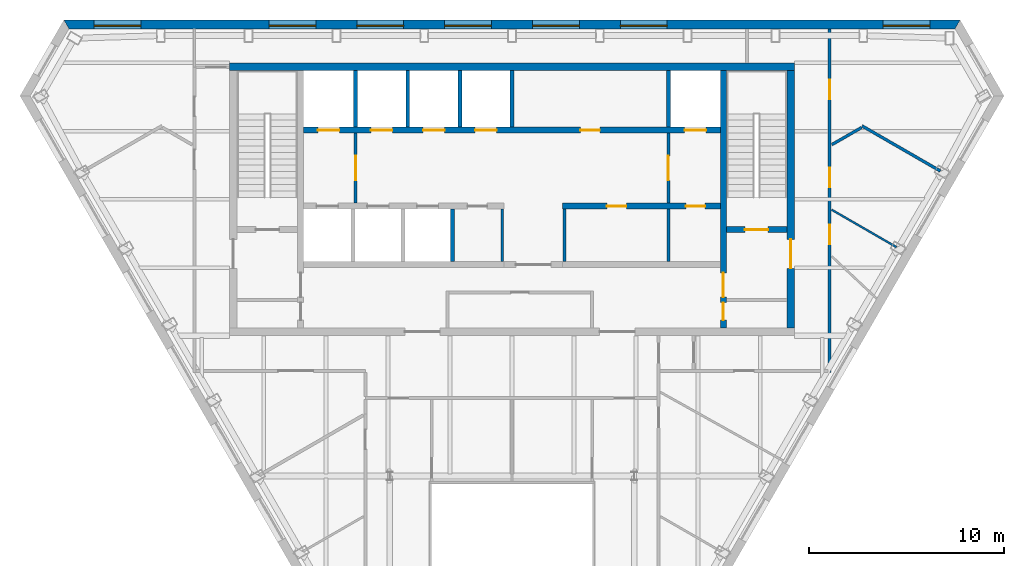
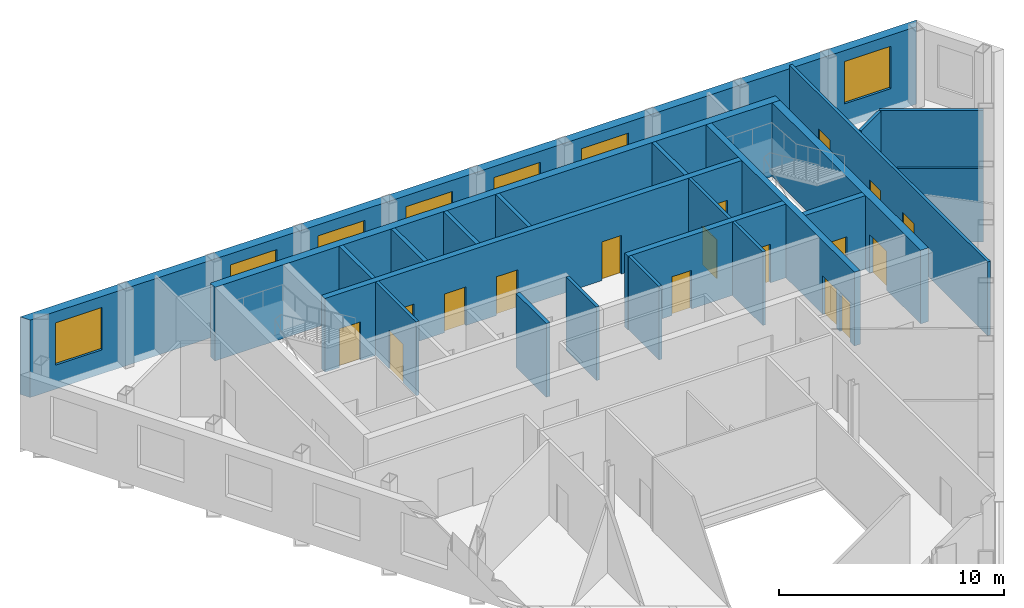
# One storey, part 7 of 11: 22 walls, 17 doors, 7 windows, 24 openings.
"""IFC4 building model written with IfcOpenShell, lengths in metres."""

import ifcopenshell
import ifcopenshell.guid

model = None  # the IFC model being written
_history = None  # IfcOwnerHistory: only IFC2X3 demands one
_inside = {}  # id of a spatial element -> (the spatial element, [elements in it])
_under = {}  # id of a project, library or spatial element -> (it, [spatial elements below it])
_declared = {}  # id of a project -> (the project, [libraries it declares])
_typed = {}  # id of a type object -> (the type object, [elements of that type])
_made_of = {}  # id of a material, layer set ... -> (it, [elements and type objects made of it])


def new_model(schema):
    """Start an empty IFC model of exactly this schema.

    Asked for "IFC4X3", IfcOpenShell would pick the latest addendum, in which some entities
    have other attributes; the version numbers below select the first issue.
    IFC2X3 requires an IfcOwnerHistory on every rooted entity: one is made here for all.
    """
    global model, _history
    if schema == "IFC4X3":
        model = ifcopenshell.file(schema_version=(4, 3, 0, 0))
    else:
        model = ifcopenshell.file(schema=schema)
    _inside.clear()
    _under.clear()
    _declared.clear()
    _typed.clear()
    _made_of.clear()
    _history = None
    if model.schema == "IFC2X3":
        org = make("IfcOrganization", Name="unknown")
        user = make(
            "IfcPersonAndOrganization",
            ThePerson=make("IfcPerson", FamilyName="unknown"),
            TheOrganization=org,
        )
        app = make(
            "IfcApplication",
            ApplicationDeveloper=org,
            Version="unknown",
            ApplicationFullName="unknown",
            ApplicationIdentifier="unknown",
        )
        _history = make(
            "IfcOwnerHistory",
            OwningUser=user,
            OwningApplication=app,
            ChangeAction="ADDED",
            CreationDate=0,
        )
    return model


def make(cls, **values):
    """One entity of the class cls with the attributes given. An attribute that is None is left unset."""
    return model.create_entity(
        cls, **{name: value for name, value in values.items() if value is not None}
    )


def rooted(cls, **values):
    """An entity with a GlobalId (a new one), such as an element, a storey or a relation."""
    return make(cls, GlobalId=ifcopenshell.guid.new(), OwnerHistory=_history, **values)


def si_unit(unit_type, name, prefix=None):
    """IfcSIUnit, for example si_unit("LENGTHUNIT", "METRE", prefix="MILLI")."""
    return make("IfcSIUnit", UnitType=unit_type, Prefix=prefix, Name=name)


def assignment(units):
    """IfcUnitAssignment: the units of a project."""
    return None if units is None else make("IfcUnitAssignment", Units=units)


def point(xyz):
    """IfcCartesianPoint."""
    return None if xyz is None else make("IfcCartesianPoint", Coordinates=xyz)


def direction(xyz):
    """IfcDirection."""
    return None if xyz is None else make("IfcDirection", DirectionRatios=xyz)


def frame(location, z_axis=None, x_axis=None):
    """IfcAxis2Placement3D, a coordinate frame: its origin and axes. An axis left out is left unset."""
    return make(
        "IfcAxis2Placement3D",
        Location=point(location),
        Axis=direction(z_axis),
        RefDirection=direction(x_axis),
    )


def frame_2d(location, x_axis=None):
    """IfcAxis2Placement2D, a coordinate frame in the plane: its origin and x axis."""
    return make(
        "IfcAxis2Placement2D", Location=point(location), RefDirection=direction(x_axis)
    )


def origin():
    """The frame at (0, 0, 0) with its axes left unset."""
    return frame((0.0, 0.0, 0.0))


def place(relative_to, where):
    """IfcLocalPlacement: puts the frame where relative to a parent placement (None: the world)."""
    return make(
        "IfcLocalPlacement", PlacementRelTo=relative_to, RelativePlacement=where
    )


def context(
    kind, dimensions, precision=None, world=None, true_north=None, identifier=None
):
    """IfcGeometricRepresentationContext, for example the 3D "Model" context."""
    return make(
        "IfcGeometricRepresentationContext",
        ContextIdentifier=identifier,
        ContextType=kind,
        CoordinateSpaceDimension=dimensions,
        Precision=precision,
        WorldCoordinateSystem=world,
        TrueNorth=true_north,
    )


def subcontext(parent, identifier, kind, view, scale=None):
    """IfcGeometricRepresentationSubContext, for example "Body" below "Model"."""
    return make(
        "IfcGeometricRepresentationSubContext",
        ContextIdentifier=identifier,
        ContextType=kind,
        ParentContext=parent,
        TargetScale=scale,
        TargetView=view,
    )


def project(units=None, contexts=None):
    """IfcProject with its units and contexts."""
    return rooted(
        "IfcProject",
        Name="project",
        RepresentationContexts=contexts,
        UnitsInContext=assignment(units),
    )


def spatial(cls, under=None, at=None, **own):
    """A site, building, storey or space (cls), placed at a placement, below another one or the project."""
    s = rooted(cls, ObjectPlacement=at, **own)
    if under is not None:
        _under.setdefault(under.id(), (under, []))[1].append(s)
    return s


def polyline(points):
    """IfcPolyline through the points."""
    return make("IfcPolyline", Points=[point(p) for p in points])


def profile(cls, at=None, kind="AREA", **sizes):
    """A parametric profile (cls). Its sizes go by their IFC names, for example OverallWidth=200.0."""
    return make(cls, ProfileType=kind, Position=at, **sizes)


def rectangle(**sizes):
    """IfcRectangleProfileDef."""
    return profile("IfcRectangleProfileDef", **sizes)


def outline(outer, holes=None, kind="AREA"):
    """IfcArbitraryClosedProfileDef: a profile drawn as a closed curve; with holes, ...WithVoids."""
    if holes is None:
        return make("IfcArbitraryClosedProfileDef", ProfileType=kind, OuterCurve=outer)
    return make(
        "IfcArbitraryProfileDefWithVoids",
        ProfileType=kind,
        OuterCurve=outer,
        InnerCurves=holes,
    )


def extrude(swept, where, along, depth):
    """IfcExtrudedAreaSolid: the profile swept, set in the frame where, extruded along a direction by depth."""
    return make(
        "IfcExtrudedAreaSolid",
        SweptArea=swept,
        Position=where,
        ExtrudedDirection=direction(along),
        Depth=depth,
    )


def shape(context_of_items, identifier, shape_type, items):
    """IfcShapeRepresentation: the items that make up one representation, for example the "Body"."""
    return make(
        "IfcShapeRepresentation",
        ContextOfItems=context_of_items,
        RepresentationIdentifier=identifier,
        RepresentationType=shape_type,
        Items=items,
    )


def material(Name=None, Category=None):
    """IfcMaterial."""
    return make("IfcMaterial", Name=Name, Category=Category)


def layer(
    of_material, thickness, ventilated=None, Name=None, Category=None, Priority=None
):
    """IfcMaterialLayer: one layer of a wall or slab, of a material (None: an air gap)."""
    return make(
        "IfcMaterialLayer",
        Material=of_material,
        LayerThickness=thickness,
        IsVentilated=ventilated,
        Name=Name,
        Category=Category,
        Priority=Priority,
    )


def layer_set(layers, Name=None):
    """IfcMaterialLayerSet."""
    return make("IfcMaterialLayerSet", MaterialLayers=layers, LayerSetName=Name)


def made_of(thing, what):
    """Note that an element or type object is made of a material, layer set ...; save() writes the relation."""
    if what is not None:
        _made_of.setdefault(what.id(), (what, []))[1].append(thing)
    return thing


def type_object(cls, material=None, **own):
    """A type object (cls), such as IfcWallType, which elements share."""
    return made_of(rooted(cls, **own), material)


def element(
    cls,
    number,
    at=None,
    inside=None,
    cuts=None,
    type_object=None,
    material=None,
    context=None,
    identifier="Body",
    shape_type=None,
    held_by="IfcProductDefinitionShape",
    body=None,
    shapes=None,
    **own,
):
    """One element of the class cls, such as IfcWall. Its Tag is "e" and its number.

    at: its placement. inside: the storey or other place that contains it. cuts: it is an
    opening in that element (IfcRelVoidsElement). A single representation is given by context,
    identifier, shape_type and body (its items); several are given by shapes. held_by: the class
    of the entity that holds the representations. save() writes the other relations.
    """
    e = rooted(cls, Tag="e%d" % number, ObjectPlacement=at, **own)
    if body is not None:
        shapes = [shape(context, identifier, shape_type, body)]
    if shapes is not None:
        e.Representation = make(held_by, Representations=shapes)
    if inside is not None:
        _inside.setdefault(inside.id(), (inside, []))[1].append(e)
    if cuts is not None:
        rooted(
            "IfcRelVoidsElement", RelatingBuildingElement=cuts, RelatedOpeningElement=e
        )
    if type_object is not None:
        _typed.setdefault(type_object.id(), (type_object, []))[1].append(e)
    return made_of(e, material)


def fill(opening, filler):
    """IfcRelFillsElement: the door or window that sits in an opening."""
    return rooted(
        "IfcRelFillsElement",
        RelatingOpeningElement=opening,
        RelatedBuildingElement=filler,
    )


def aggregate(whole, parts):
    """IfcRelAggregates: a whole, such as a stair, and the parts it consists of."""
    return rooted("IfcRelAggregates", RelatingObject=whole, RelatedObjects=parts)


def save(model, path):
    """Write the relations noted so far, then the file.

    IfcRelAggregates (storeys below a building ...), IfcRelContainedInSpatialStructure (elements
    in a storey), IfcRelDefinesByType, IfcRelAssociatesMaterial and IfcRelDeclares: one each for
    every whole, place, type object, material and project.
    """
    for whole, parts in _under.values():
        aggregate(whole, parts)
    for where, things in _inside.values():
        rooted(
            "IfcRelContainedInSpatialStructure",
            RelatedElements=things,
            RelatingStructure=where,
        )
    for kind, things in _typed.values():
        rooted("IfcRelDefinesByType", RelatedObjects=things, RelatingType=kind)
    for what, things in _made_of.values():
        rooted("IfcRelAssociatesMaterial", RelatedObjects=things, RelatingMaterial=what)
    for by, libraries in _declared.values():
        rooted("IfcRelDeclares", RelatingContext=by, RelatedDefinitions=libraries)
    model.write(path)


model = new_model("IFC4")

# Units and contexts
model_context = context("Model", 3, precision=1e-05, world=origin(), true_north=direction((0.0, 1.0)))
body_context = subcontext(model_context, "Body", "Model", "MODEL_VIEW")
ifc_project = project(units=[si_unit("LENGTHUNIT", "METRE"), si_unit("AREAUNIT", "SQUARE_METRE"), si_unit("VOLUMEUNIT", "CUBIC_METRE"), si_unit("PLANEANGLEUNIT", "RADIAN"), si_unit("MASSUNIT", "GRAM", prefix="KILO")], contexts=[model_context])

# Site, building, storey
site_placement = place(None, origin())
site = spatial("IfcSite", under=ifc_project, at=site_placement, CompositionType="ELEMENT")
building_placement = place(site_placement, origin())
building = spatial("IfcBuilding", under=site, at=building_placement, Name="Njiva Tower", CompositionType="ELEMENT")
storey_placement = place(building_placement, frame((0.0, 0.0, 312.6)))
storey = spatial("IfcBuildingStorey", under=building, at=storey_placement, Name="L71", CompositionType="ELEMENT", Elevation=312.6)

# Walls
ifc_material_1 = material(Name="Blockwork", Category="masonry")
ifc_layer_1 = layer(ifc_material_1, 0.15)
ifc_layer_set_1 = layer_set([ifc_layer_1], Name="Blockwork")
wall_type_1 = type_object("IfcWallType", Name="WT1 Compartment partition 150", PredefinedType="PARTITIONING", material=ifc_layer_set_1)
for number, where, z_axis, x_axis, name in (
    (1, (-0.5, 7.8, 0.0), (0.0, 0.0, 1.0), (0.0, 1.0, 0.0), "Partition CS4"),
    (2, (2.7, 7.8, 0.0), (0.0, 0.0, 1.0), (0.0, 1.0, 0.0), "Partition CS5"),
    (3, (8.0333, 7.8, 0.0), (0.0, 0.0, 1.0), (0.0, 1.0, 0.0), "Partition CS7"),
):
    element("IfcWall", number, at=place(storey_placement, frame(where, z_axis=z_axis, x_axis=x_axis)), inside=storey, type_object=wall_type_1, Name=name, PredefinedType="PARTITIONING", context=body_context, shape_type="SweptSolid", body=[
        extrude(rectangle(XDim=2.7, YDim=0.15, at=frame_2d((1.35, 0.0))), origin(), (0.0, 0.0, 1.0), 4.0),
    ])

# Wall, openings, doors
ifc_material_2 = material(Name="Concrete C40/50", Category="concrete")
ifc_layer_2 = layer(ifc_material_2, 0.3)
ifc_layer_set_2 = layer_set([ifc_layer_2], Name="Concrete C40/50")
wall_type_2 = type_object("IfcWallType", Name="WT10 Stair enclosure wall 300", PredefinedType="SHEAR", material=ifc_layer_set_2)
wall_1_placement = place(storey_placement, frame((10.85, 4.4, 0.0), z_axis=(0.0, 0.0, 1.0), x_axis=(0.0, 1.0, 0.0)))
wall_1 = element("IfcWall", 4, at=wall_1_placement, inside=storey, type_object=wall_type_2, Name="Stair wall east inner", PredefinedType="SHEAR", context=body_context, shape_type="SweptSolid", body=[
    extrude(rectangle(XDim=13.2, YDim=0.3, at=frame_2d((6.6, 0.0))), origin(), (0.0, 0.0, 1.0), 4.0),
])
opening_1_placement = place(wall_1_placement, frame((1.575, 0.0, 0.0)))
opening_1 = element("IfcOpeningElement", 5, at=opening_1_placement, cuts=wall_1, Name="Opening S24-D920", PredefinedType="OPENING", context=body_context, shape_type="SweptSolid", body=[
    extrude(rectangle(XDim=1.25, YDim=2.1, at=frame_2d((0.625, 1.05))), frame((0.0, 0.16, 0.0), z_axis=(0.0, -1.0, 0.0), x_axis=(1.0, 0.0, 0.0)), (0.0, 0.0, 1.0), 0.32),
])
opening_2_placement = place(wall_1_placement, frame((0.4, 0.0, 0.0)))
opening_2 = element("IfcOpeningElement", 6, at=opening_2_placement, cuts=wall_1, Name="Opening S24-D922", PredefinedType="OPENING", context=body_context, shape_type="SweptSolid", body=[
    extrude(rectangle(XDim=0.9, YDim=2.1, at=frame_2d((0.45, 1.05))), frame((0.0, 0.16, 0.0), z_axis=(0.0, -1.0, 0.0), x_axis=(1.0, 0.0, 0.0)), (0.0, 0.0, 1.0), 0.32),
])
ifc_material_3 = material(Name="Steel door, painted", Category="steel")
door_type_1 = type_object("IfcDoorType", Name="D13 Steel door 900x2100", OperationType="SINGLE_SWING_LEFT", PredefinedType="DOOR", material=ifc_material_3)
door_1_placement = place(opening_2_placement, origin())
door_1 = element("IfcDoor", 7, at=door_1_placement, inside=storey, type_object=door_type_1, Name="Quiet room door", OperationType="SINGLE_SWING_LEFT", OverallHeight=2.1, OverallWidth=0.9, PredefinedType="DOOR", context=body_context, shape_type="SweptSolid", body=[
    extrude(rectangle(XDim=0.9, YDim=2.1, at=frame_2d((0.45, 1.05))), frame((0.0, 0.025, 0.0), z_axis=(0.0, -1.0, 0.0), x_axis=(1.0, 0.0, 0.0)), (0.0, 0.0, 1.0), 0.05),
])
fill(opening_2, door_1)
ifc_material_4 = material(Name="Glazed steel fire door", Category="steel")
door_type_2 = type_object("IfcDoorType", Name="D8 Vestibule corridor door 1250x2100 glazed", OperationType="SINGLE_SWING_LEFT", PredefinedType="DOOR", material=ifc_material_4)
door_2_placement = place(opening_1_placement, origin())
door_2 = element("IfcDoor", 8, at=door_2_placement, inside=storey, type_object=door_type_2, Name="Stair vestibule corridor door", OperationType="SINGLE_SWING_RIGHT", OverallHeight=2.1, OverallWidth=1.25, PredefinedType="DOOR", context=body_context, shape_type="SweptSolid", body=[
    extrude(rectangle(XDim=1.25, YDim=2.1, at=frame_2d((0.625, 1.05))), frame((0.0, 0.025, 0.0), z_axis=(0.0, -1.0, 0.0), x_axis=(1.0, 0.0, 0.0)), (0.0, 0.0, 1.0), 0.05),
])
fill(opening_1, door_2)

# Wall, opening, door
wall_2_placement = place(storey_placement, frame((11.0, 9.45, 0.0), z_axis=(0.0, 0.0, 1.0), x_axis=(1.0, 0.0, 0.0)))
wall_2 = element("IfcWall", 9, at=wall_2_placement, inside=storey, type_object=wall_type_2, Name="Stair B south wall", PredefinedType="SHEAR", context=body_context, shape_type="SweptSolid", body=[
    extrude(rectangle(XDim=3.1, YDim=0.3, at=frame_2d((1.55, 0.0))), origin(), (0.0, 0.0, 1.0), 4.0),
])
opening_3_placement = place(wall_2_placement, frame((0.95, 0.0, 0.0)))
opening_3 = element("IfcOpeningElement", 10, at=opening_3_placement, cuts=wall_2, Name="Opening S24-D919", PredefinedType="OPENING", context=body_context, shape_type="SweptSolid", body=[
    extrude(rectangle(XDim=1.2, YDim=2.1, at=frame_2d((0.6, 1.05))), frame((0.0, 0.16, 0.0), z_axis=(0.0, -1.0, 0.0), x_axis=(1.0, 0.0, 0.0)), (0.0, 0.0, 1.0), 0.32),
])
door_type_3 = type_object("IfcDoorType", Name="D7 Stair vestibule door 1200x2100 glazed", OperationType="SINGLE_SWING_LEFT", PredefinedType="DOOR", material=ifc_material_4)
door_3_placement = place(opening_3_placement, origin())
door_3 = element("IfcDoor", 11, at=door_3_placement, inside=storey, type_object=door_type_3, Name="Stair B door", OperationType="SINGLE_SWING_LEFT", OverallHeight=2.1, OverallWidth=1.2, PredefinedType="DOOR", context=body_context, shape_type="SweptSolid", body=[
    extrude(rectangle(XDim=1.2, YDim=2.1, at=frame_2d((0.6, 1.05))), frame((0.0, 0.025, 0.0), z_axis=(0.0, -1.0, 0.0), x_axis=(1.0, 0.0, 0.0)), (0.0, 0.0, 1.0), 0.05),
])
fill(opening_3, door_3)

# Wall
ifc_material_5 = material(Name="Concrete C60/75", Category="concrete")
ifc_layer_3 = layer(ifc_material_5, 0.4)
ifc_layer_set_3 = layer_set([ifc_layer_3], Name="Concrete C60/75")
wall_type_3 = type_object("IfcWallType", Name="WT11 Core wall 400", PredefinedType="SHEAR", material=ifc_layer_set_3)
wall_3_placement = place(storey_placement, frame((-14.5, 17.8, 0.0), z_axis=(0.0, 0.0, 1.0), x_axis=(1.0, 0.0, 0.0)))
element("IfcWall", 12, at=wall_3_placement, inside=storey, type_object=wall_type_3, Name="Core wall north", PredefinedType="SHEAR", context=body_context, shape_type="SweptSolid", body=[
    extrude(rectangle(XDim=29.0, YDim=0.4, at=frame_2d((14.5, 0.0))), origin(), (0.0, 0.0, 1.0), 4.0),
])

# Wall, opening, door
wall_4_placement = place(storey_placement, frame((14.3, 4.4, 0.0), z_axis=(0.0, 0.0, 1.0), x_axis=(0.0, 1.0, 0.0)))
wall_4 = element("IfcWall", 13, at=wall_4_placement, inside=storey, type_object=wall_type_3, Name="Core wall east", PredefinedType="SHEAR", context=body_context, shape_type="SweptSolid", body=[
    extrude(rectangle(XDim=13.2, YDim=0.4, at=frame_2d((6.6, 0.0))), origin(), (0.0, 0.0, 1.0), 4.0),
])
opening_4_placement = place(wall_4_placement, frame((3.05, 0.0, 0.0)))
opening_4 = element("IfcOpeningElement", 14, at=opening_4_placement, cuts=wall_4, Name="Opening S24-D921", PredefinedType="OPENING", context=body_context, shape_type="SweptSolid", body=[
    extrude(rectangle(XDim=1.5, YDim=2.1, at=frame_2d((0.75, 1.05))), frame((0.0, 0.21, 0.0), z_axis=(0.0, -1.0, 0.0), x_axis=(1.0, 0.0, 0.0)), (0.0, 0.0, 1.0), 0.42),
])
door_type_4 = type_object("IfcDoorType", Name="D10 Exit door double 1500x2100 glazed", OperationType="DOUBLE_DOOR_SINGLE_SWING", PredefinedType="DOOR", material=ifc_material_4)
door_4_placement = place(opening_4_placement, origin())
door_4 = element("IfcDoor", 15, at=door_4_placement, inside=storey, type_object=door_type_4, Name="Stair B corridor door", OperationType="DOUBLE_DOOR_SINGLE_SWING", OverallHeight=2.1, OverallWidth=1.5, PredefinedType="DOOR", context=body_context, shape_type="SweptSolid", body=[
    extrude(rectangle(XDim=1.5, YDim=2.1, at=frame_2d((0.75, 1.05))), frame((0.0, 0.025, 0.0), z_axis=(0.0, -1.0, 0.0), x_axis=(1.0, 0.0, 0.0)), (0.0, 0.0, 1.0), 0.05),
])
fill(opening_4, door_4)

ifc_layer_4 = layer(ifc_material_1, 0.15)
ifc_layer_set_4 = layer_set([ifc_layer_4], Name="Blockwork")
wall_type_4 = type_object("IfcWallType", Name="WT2 Lobby partition 150", PredefinedType="PARTITIONING", material=ifc_layer_set_4)
wall_5_placement = place(storey_placement, frame((-8.025, 10.8, 0.0), z_axis=(0.0, 0.0, 1.0), x_axis=(0.0, 1.0, 0.0)))
wall_5 = element("IfcWall", 16, at=wall_5_placement, inside=storey, type_object=wall_type_4, Name="Firefighting lobby wall A", PredefinedType="PARTITIONING", context=body_context, shape_type="SweptSolid", body=[
    extrude(rectangle(XDim=3.6, YDim=0.15, at=frame_2d((1.8, 0.0))), origin(), (0.0, 0.0, 1.0), 4.0),
])
opening_5_placement = place(wall_5_placement, frame((1.175, 0.0, 0.0)))
opening_5 = element("IfcOpeningElement", 17, at=opening_5_placement, cuts=wall_5, Name="Opening S24-D913", PredefinedType="OPENING", context=body_context, shape_type="SweptSolid", body=[
    extrude(rectangle(XDim=1.25, YDim=2.1, at=frame_2d((0.625, 1.05))), frame((0.0, 0.085, 0.0), z_axis=(0.0, -1.0, 0.0), x_axis=(1.0, 0.0, 0.0)), (0.0, 0.0, 1.0), 0.17),
])
door_5_placement = place(opening_5_placement, origin())
door_5 = element("IfcDoor", 18, at=door_5_placement, inside=storey, type_object=door_type_2, Name="Stair vestibule corridor door", OperationType="SINGLE_SWING_RIGHT", OverallHeight=2.1, OverallWidth=1.25, PredefinedType="DOOR", context=body_context, shape_type="SweptSolid", body=[
    extrude(rectangle(XDim=1.25, YDim=2.1, at=frame_2d((0.625, 1.05))), frame((0.0, 0.025, 0.0), z_axis=(0.0, -1.0, 0.0), x_axis=(1.0, 0.0, 0.0)), (0.0, 0.0, 1.0), 0.05),
])
fill(opening_5, door_5)

wall_6_placement = place(storey_placement, frame((8.025, 10.8, 0.0), z_axis=(0.0, 0.0, 1.0), x_axis=(0.0, 1.0, 0.0)))
wall_6 = element("IfcWall", 19, at=wall_6_placement, inside=storey, type_object=wall_type_4, Name="Firefighting lobby wall B", PredefinedType="PARTITIONING", context=body_context, shape_type="SweptSolid", body=[
    extrude(rectangle(XDim=3.6, YDim=0.15, at=frame_2d((1.8, 0.0))), origin(), (0.0, 0.0, 1.0), 4.0),
])
opening_6_placement = place(wall_6_placement, frame((1.175, 0.0, 0.0)))
opening_6 = element("IfcOpeningElement", 20, at=opening_6_placement, cuts=wall_6, Name="Opening S24-D918", PredefinedType="OPENING", context=body_context, shape_type="SweptSolid", body=[
    extrude(rectangle(XDim=1.25, YDim=2.1, at=frame_2d((0.625, 1.05))), frame((0.0, 0.085, 0.0), z_axis=(0.0, -1.0, 0.0), x_axis=(1.0, 0.0, 0.0)), (0.0, 0.0, 1.0), 0.17),
])
door_6_placement = place(opening_6_placement, origin())
door_6 = element("IfcDoor", 21, at=door_6_placement, inside=storey, type_object=door_type_2, Name="Stair vestibule corridor door", OperationType="SINGLE_SWING_LEFT", OverallHeight=2.1, OverallWidth=1.25, PredefinedType="DOOR", context=body_context, shape_type="SweptSolid", body=[
    extrude(rectangle(XDim=1.25, YDim=2.1, at=frame_2d((0.625, 1.05))), frame((0.0, 0.025, 0.0), z_axis=(0.0, -1.0, 0.0), x_axis=(1.0, 0.0, 0.0)), (0.0, 0.0, 1.0), 0.05),
])
fill(opening_6, door_6)

# Wall
ifc_material_6 = material(Name="Gypsum board on steel studs", Category="gypsum")
ifc_layer_5 = layer(ifc_material_6, 0.1)
ifc_layer_set_5 = layer_set([ifc_layer_5], Name="Gypsum board on steel studs")
wall_type_5 = type_object("IfcWallType", Name="WT20 Gypsum partition 100", PredefinedType="PARTITIONING", material=ifc_layer_set_5)
wall_7_placement = place(storey_placement, frame((16.4, 10.468, 0.0), z_axis=(0.0, 0.0, 1.0), x_axis=(0.866072919292, -0.499917691695, 0.0)))
element("IfcWall", 22, at=wall_7_placement, inside=storey, type_object=wall_type_5, Name="Partition S24-P027", PredefinedType="PARTITIONING", context=body_context, shape_type="SweptSolid", body=[
    extrude(rectangle(XDim=3.8426, YDim=0.1, at=frame_2d((1.9213, 0.0))), origin(), (0.0, 0.0, 1.0), 4.0),
])

# Wall, openings, doors
ifc_layer_6 = layer(ifc_material_6, 0.15)
ifc_layer_set_6 = layer_set([ifc_layer_6], Name="Gypsum board on steel studs")
wall_type_6 = type_object("IfcWallType", Name="WT21 Compartment wall 150", PredefinedType="PARTITIONING", material=ifc_layer_set_6)
wall_8_placement = place(storey_placement, frame((16.3, 2.125, 0.0), z_axis=(0.0, 0.0, 1.0), x_axis=(0.0, 1.0, 0.0)))
wall_8 = element("IfcWall", 23, at=wall_8_placement, inside=storey, type_object=wall_type_6, Name="Partition S24-P026", PredefinedType="PARTITIONING", context=body_context, shape_type="SweptSolid", body=[
    extrude(rectangle(XDim=17.623, YDim=0.15, at=frame_2d((8.8115, 0.0))), origin(), (0.0, 0.0, 1.0), 4.0),
])
opening_7_placement = place(wall_8_placement, frame((6.567, 0.0, 0.0)))
opening_7 = element("IfcOpeningElement", 24, at=opening_7_placement, cuts=wall_8, Name="Opening S24-D018", PredefinedType="OPENING", context=body_context, shape_type="SweptSolid", body=[
    extrude(rectangle(XDim=1.0, YDim=2.1, at=frame_2d((0.5, 1.05))), frame((0.0, 0.085, 0.0), z_axis=(0.0, -1.0, 0.0), x_axis=(1.0, 0.0, 0.0)), (0.0, 0.0, 1.0), 0.17),
])
opening_8_placement = place(wall_8_placement, frame((9.506, 0.0, 0.0)))
opening_8 = element("IfcOpeningElement", 25, at=opening_8_placement, cuts=wall_8, Name="Opening S24-D019", PredefinedType="OPENING", context=body_context, shape_type="SweptSolid", body=[
    extrude(rectangle(XDim=1.0, YDim=2.1, at=frame_2d((0.5, 1.05))), frame((0.0, 0.085, 0.0), z_axis=(0.0, -1.0, 0.0), x_axis=(1.0, 0.0, 0.0)), (0.0, 0.0, 1.0), 0.17),
])
opening_9_placement = place(wall_8_placement, frame((14.018, 0.0, 0.0)))
opening_9 = element("IfcOpeningElement", 26, at=opening_9_placement, cuts=wall_8, Name="Opening S24-D020", PredefinedType="OPENING", context=body_context, shape_type="SweptSolid", body=[
    extrude(rectangle(XDim=1.0, YDim=2.1, at=frame_2d((0.5, 1.05))), frame((0.0, 0.085, 0.0), z_axis=(0.0, -1.0, 0.0), x_axis=(1.0, 0.0, 0.0)), (0.0, 0.0, 1.0), 0.17),
])
ifc_material_7 = material(Name="Steel fire door set", Category="steel")
door_type_5 = type_object("IfcDoorType", Name="D37 Fire door 1000x2100", OperationType="SINGLE_SWING_LEFT", PredefinedType="DOOR", material=ifc_material_7)
door_7_placement = place(opening_7_placement, origin())
door_7 = element("IfcDoor", 27, at=door_7_placement, inside=storey, type_object=door_type_5, Name="Door S24-D018", OperationType="SINGLE_SWING_LEFT", OverallHeight=2.1, OverallWidth=1.0, PredefinedType="DOOR", context=body_context, shape_type="SweptSolid", body=[
    extrude(rectangle(XDim=1.0, YDim=2.1, at=frame_2d((0.5, 1.05))), frame((0.0, 0.025, 0.0), z_axis=(0.0, -1.0, 0.0), x_axis=(1.0, 0.0, 0.0)), (0.0, 0.0, 1.0), 0.05),
])
fill(opening_7, door_7)
door_8_placement = place(opening_8_placement, origin())
door_8 = element("IfcDoor", 28, at=door_8_placement, inside=storey, type_object=door_type_5, Name="Door S24-D019", OperationType="SINGLE_SWING_RIGHT", OverallHeight=2.1, OverallWidth=1.0, PredefinedType="DOOR", context=body_context, shape_type="SweptSolid", body=[
    extrude(rectangle(XDim=1.0, YDim=2.1, at=frame_2d((0.5, 1.05))), frame((0.0, 0.025, 0.0), z_axis=(0.0, -1.0, 0.0), x_axis=(1.0, 0.0, 0.0)), (0.0, 0.0, 1.0), 0.05),
])
fill(opening_8, door_8)
door_9_placement = place(opening_9_placement, origin())
door_9 = element("IfcDoor", 29, at=door_9_placement, inside=storey, type_object=door_type_5, Name="Door S24-D020", OperationType="SINGLE_SWING_RIGHT", OverallHeight=2.1, OverallWidth=1.0, PredefinedType="DOOR", context=body_context, shape_type="SweptSolid", body=[
    extrude(rectangle(XDim=1.0, YDim=2.1, at=frame_2d((0.5, 1.05))), frame((0.0, 0.025, 0.0), z_axis=(0.0, -1.0, 0.0), x_axis=(1.0, 0.0, 0.0)), (0.0, 0.0, 1.0), 0.05),
])
fill(opening_9, door_9)

# Walls
wall_9_placement = place(storey_placement, frame((16.412, 13.804, 0.0), z_axis=(0.0, 0.0, 1.0), x_axis=(0.86662990323, 0.498951511499, 0.0)))
element("IfcWall", 30, at=wall_9_placement, inside=storey, type_object=wall_type_6, Name="Partition S24-P029", PredefinedType="PARTITIONING", context=body_context, shape_type="SweptSolid", body=[
    extrude(rectangle(XDim=1.7597, YDim=0.15, at=frame_2d((0.8798, 0.0))), origin(), (0.0, 0.0, 1.0), 4.0),
])
wall_10_placement = place(storey_placement, frame((17.961, 14.77, 0.0), z_axis=(0.0, 0.0, 1.0), x_axis=(0.866260894491, -0.499591896127, 0.0)))
element("IfcWall", 31, at=wall_10_placement, inside=storey, type_object=wall_type_6, Name="Partition S24-P030", PredefinedType="PARTITIONING", context=body_context, shape_type="SweptSolid", body=[
    extrude(rectangle(XDim=4.6418, YDim=0.15, at=frame_2d((2.3209, 0.0))), origin(), (0.0, 0.0, 1.0), 4.0),
])
ifc_layer_7 = layer(ifc_material_2, 0.2)
ifc_layer_set_7 = layer_set([ifc_layer_7], Name="Concrete C40/50")
wall_type_7 = type_object("IfcWallType", Name="WT6 Lift shaft wall 200", PredefinedType="SHEAR", material=ifc_layer_set_7)
for number, where, z_axis, x_axis, name in (
    (32, (-8.025, 14.7, 0.0), (0.0, 0.0, 1.0), (0.0, 1.0, 0.0), "Shaft wall CN1"),
    (33, (-5.35, 14.7, 0.0), (0.0, 0.0, 1.0), (0.0, 1.0, 0.0), "Shaft wall CN2"),
    (34, (-2.675, 14.7, 0.0), (0.0, 0.0, 1.0), (0.0, 1.0, 0.0), "Shaft wall CN3"),
    (35, (0.0, 14.7, 0.0), (0.0, 0.0, 1.0), (0.0, 1.0, 0.0), "Shaft wall CN4"),
    (36, (8.025, 14.7, 0.0), (0.0, 0.0, 1.0), (0.0, 1.0, 0.0), "Shaft wall CN7"),
):
    element("IfcWall", number, at=place(storey_placement, frame(where, z_axis=z_axis, x_axis=x_axis)), inside=storey, type_object=wall_type_7, Name=name, PredefinedType="SHEAR", context=body_context, shape_type="SweptSolid", body=[
        extrude(rectangle(XDim=2.9, YDim=0.2, at=frame_2d((1.45, 0.0))), origin(), (0.0, 0.0, 1.0), 4.0),
    ])
wall_11_placement = place(storey_placement, frame((-3.05, 7.8, 0.0), z_axis=(0.0, 0.0, 1.0), x_axis=(0.0, 1.0, 0.0)))
element("IfcWall", 37, at=wall_11_placement, inside=storey, type_object=wall_type_7, Name="Shaft wall CS3", PredefinedType="SHEAR", context=body_context, shape_type="SweptSolid", body=[
    extrude(rectangle(XDim=2.7, YDim=0.2, at=frame_2d((1.35, 0.0))), origin(), (0.0, 0.0, 1.0), 4.0),
])

# Wall, openings, doors
ifc_layer_8 = layer(ifc_material_2, 0.3)
ifc_layer_set_8 = layer_set([ifc_layer_8], Name="Concrete C40/50")
wall_type_8 = type_object("IfcWallType", Name="WT7 Lift shaft wall 300", PredefinedType="SHEAR", material=ifc_layer_set_8)
wall_12_placement = place(storey_placement, frame((-10.7, 14.55, 0.0), z_axis=(0.0, 0.0, 1.0), x_axis=(1.0, 0.0, 0.0)))
wall_12 = element("IfcWall", 38, at=wall_12_placement, inside=storey, type_object=wall_type_8, Name="Shaft wall north row lobby side", PredefinedType="SHEAR", context=body_context, shape_type="SweptSolid", body=[
    extrude(rectangle(XDim=21.4, YDim=0.3, at=frame_2d((10.7, 0.0))), origin(), (0.0, 0.0, 1.0), 4.0),
])
opening_10_placement = place(wall_12_placement, frame((0.7375, 0.0, 0.0)))
opening_10 = element("IfcOpeningElement", 39, at=opening_10_placement, cuts=wall_12, Name="Opening S24-D901", PredefinedType="OPENING", context=body_context, shape_type="SweptSolid", body=[
    extrude(rectangle(XDim=1.1, YDim=2.1, at=frame_2d((0.55, 1.05))), frame((0.0, 0.16, 0.0), z_axis=(0.0, -1.0, 0.0), x_axis=(1.0, 0.0, 0.0)), (0.0, 0.0, 1.0), 0.32),
])
opening_11_placement = place(wall_12_placement, frame((3.4625, 0.0, 0.0)))
opening_11 = element("IfcOpeningElement", 40, at=opening_11_placement, cuts=wall_12, Name="Opening S24-D902", PredefinedType="OPENING", context=body_context, shape_type="SweptSolid", body=[
    extrude(rectangle(XDim=1.1, YDim=2.1, at=frame_2d((0.55, 1.05))), frame((0.0, 0.16, 0.0), z_axis=(0.0, -1.0, 0.0), x_axis=(1.0, 0.0, 0.0)), (0.0, 0.0, 1.0), 0.32),
])
opening_12_placement = place(wall_12_placement, frame((6.1375, 0.0, 0.0)))
opening_12 = element("IfcOpeningElement", 41, at=opening_12_placement, cuts=wall_12, Name="Opening S24-D903", PredefinedType="OPENING", context=body_context, shape_type="SweptSolid", body=[
    extrude(rectangle(XDim=1.1, YDim=2.1, at=frame_2d((0.55, 1.05))), frame((0.0, 0.16, 0.0), z_axis=(0.0, -1.0, 0.0), x_axis=(1.0, 0.0, 0.0)), (0.0, 0.0, 1.0), 0.32),
])
opening_13_placement = place(wall_12_placement, frame((8.8125, 0.0, 0.0)))
opening_13 = element("IfcOpeningElement", 42, at=opening_13_placement, cuts=wall_12, Name="Opening S24-D904", PredefinedType="OPENING", context=body_context, shape_type="SweptSolid", body=[
    extrude(rectangle(XDim=1.1, YDim=2.1, at=frame_2d((0.55, 1.05))), frame((0.0, 0.16, 0.0), z_axis=(0.0, -1.0, 0.0), x_axis=(1.0, 0.0, 0.0)), (0.0, 0.0, 1.0), 0.32),
])
opening_14_placement = place(wall_12_placement, frame((19.5625, 0.0, 0.0)))
opening_14 = element("IfcOpeningElement", 43, at=opening_14_placement, cuts=wall_12, Name="Opening S24-D905", PredefinedType="OPENING", context=body_context, shape_type="SweptSolid", body=[
    extrude(rectangle(XDim=1.1, YDim=2.1, at=frame_2d((0.55, 1.05))), frame((0.0, 0.16, 0.0), z_axis=(0.0, -1.0, 0.0), x_axis=(1.0, 0.0, 0.0)), (0.0, 0.0, 1.0), 0.32),
])
opening_15_placement = place(wall_12_placement, frame((14.2125, 0.0, 0.0)))
opening_15 = element("IfcOpeningElement", 44, at=opening_15_placement, cuts=wall_12, Name="Opening S24-D909", PredefinedType="OPENING", context=body_context, shape_type="SweptSolid", body=[
    extrude(rectangle(XDim=1.0, YDim=2.1, at=frame_2d((0.5, 1.05))), frame((0.0, 0.16, 0.0), z_axis=(0.0, -1.0, 0.0), x_axis=(1.0, 0.0, 0.0)), (0.0, 0.0, 1.0), 0.32),
])
door_type_6 = type_object("IfcDoorType", Name="D5 Steel door 1000x2100", OperationType="SINGLE_SWING_LEFT", PredefinedType="DOOR", material=ifc_material_3)
door_10_placement = place(opening_15_placement, origin())
door_10 = element("IfcDoor", 45, at=door_10_placement, inside=storey, type_object=door_type_6, Name="Meeting room door", OperationType="SINGLE_SWING_LEFT", OverallHeight=2.1, OverallWidth=1.0, PredefinedType="DOOR", context=body_context, shape_type="SweptSolid", body=[
    extrude(rectangle(XDim=1.0, YDim=2.1, at=frame_2d((0.5, 1.05))), frame((0.0, 0.025, 0.0), z_axis=(0.0, -1.0, 0.0), x_axis=(1.0, 0.0, 0.0)), (0.0, 0.0, 1.0), 0.05),
])
fill(opening_15, door_10)
ifc_material_8 = material(Name="Stainless steel sliding door", Category="steel")
door_type_7 = type_object("IfcDoorType", Name="LD Lift landing door 1100x2100", OperationType="SLIDING_TO_LEFT", PredefinedType="DOOR", material=ifc_material_8)
door_11_placement = place(opening_10_placement, origin())
door_11 = element("IfcDoor", 46, at=door_11_placement, inside=storey, type_object=door_type_7, Name="Lift landing door FF1", OperationType="SLIDING_TO_LEFT", OverallHeight=2.1, OverallWidth=1.1, PredefinedType="DOOR", context=body_context, shape_type="SweptSolid", body=[
    extrude(rectangle(XDim=1.1, YDim=2.1, at=frame_2d((0.55, 1.05))), frame((0.0, 0.025, 0.0), z_axis=(0.0, -1.0, 0.0), x_axis=(1.0, 0.0, 0.0)), (0.0, 0.0, 1.0), 0.05),
])
fill(opening_10, door_11)
door_12_placement = place(opening_11_placement, origin())
door_12 = element("IfcDoor", 47, at=door_12_placement, inside=storey, type_object=door_type_7, Name="Lift landing door HB4", OperationType="SLIDING_TO_LEFT", OverallHeight=2.1, OverallWidth=1.1, PredefinedType="DOOR", context=body_context, shape_type="SweptSolid", body=[
    extrude(rectangle(XDim=1.1, YDim=2.1, at=frame_2d((0.55, 1.05))), frame((0.0, 0.025, 0.0), z_axis=(0.0, -1.0, 0.0), x_axis=(1.0, 0.0, 0.0)), (0.0, 0.0, 1.0), 0.05),
])
fill(opening_11, door_12)
door_13_placement = place(opening_12_placement, origin())
door_13 = element("IfcDoor", 48, at=door_13_placement, inside=storey, type_object=door_type_7, Name="Lift landing door HB5", OperationType="SLIDING_TO_LEFT", OverallHeight=2.1, OverallWidth=1.1, PredefinedType="DOOR", context=body_context, shape_type="SweptSolid", body=[
    extrude(rectangle(XDim=1.1, YDim=2.1, at=frame_2d((0.55, 1.05))), frame((0.0, 0.025, 0.0), z_axis=(0.0, -1.0, 0.0), x_axis=(1.0, 0.0, 0.0)), (0.0, 0.0, 1.0), 0.05),
])
fill(opening_12, door_13)
door_14_placement = place(opening_13_placement, origin())
door_14 = element("IfcDoor", 49, at=door_14_placement, inside=storey, type_object=door_type_7, Name="Lift landing door HB6", OperationType="SLIDING_TO_LEFT", OverallHeight=2.1, OverallWidth=1.1, PredefinedType="DOOR", context=body_context, shape_type="SweptSolid", body=[
    extrude(rectangle(XDim=1.1, YDim=2.1, at=frame_2d((0.55, 1.05))), frame((0.0, 0.025, 0.0), z_axis=(0.0, -1.0, 0.0), x_axis=(1.0, 0.0, 0.0)), (0.0, 0.0, 1.0), 0.05),
])
fill(opening_13, door_14)
door_15_placement = place(opening_14_placement, origin())
door_15 = element("IfcDoor", 50, at=door_15_placement, inside=storey, type_object=door_type_7, Name="Lift landing door FF2", OperationType="SLIDING_TO_LEFT", OverallHeight=2.1, OverallWidth=1.1, PredefinedType="DOOR", context=body_context, shape_type="SweptSolid", body=[
    extrude(rectangle(XDim=1.1, YDim=2.1, at=frame_2d((0.55, 1.05))), frame((0.0, 0.025, 0.0), z_axis=(0.0, -1.0, 0.0), x_axis=(1.0, 0.0, 0.0)), (0.0, 0.0, 1.0), 0.05),
])
fill(opening_14, door_15)

wall_13_placement = place(storey_placement, frame((2.6, 10.65, 0.0), z_axis=(0.0, 0.0, 1.0), x_axis=(1.0, 0.0, 0.0)))
wall_13 = element("IfcWall", 51, at=wall_13_placement, inside=storey, type_object=wall_type_8, Name="Shaft wall south row lobby side E", PredefinedType="SHEAR", context=body_context, shape_type="SweptSolid", body=[
    extrude(rectangle(XDim=8.1, YDim=0.3, at=frame_2d((4.05, 0.0))), origin(), (0.0, 0.0, 1.0), 4.0),
])
opening_16_placement = place(wall_13_placement, frame((2.2667, 0.0, 0.0)))
opening_16 = element("IfcOpeningElement", 52, at=opening_16_placement, cuts=wall_13, Name="Opening S24-D911", PredefinedType="OPENING", context=body_context, shape_type="SweptSolid", body=[
    extrude(rectangle(XDim=1.0, YDim=2.1, at=frame_2d((0.5, 1.05))), frame((0.0, 0.16, 0.0), z_axis=(0.0, -1.0, 0.0), x_axis=(1.0, 0.0, 0.0)), (0.0, 0.0, 1.0), 0.32),
])
opening_17_placement = place(wall_13_placement, frame((6.3167, 0.0, 0.0)))
opening_17 = element("IfcOpeningElement", 53, at=opening_17_placement, cuts=wall_13, Name="Opening S24-D912", PredefinedType="OPENING", context=body_context, shape_type="SweptSolid", body=[
    extrude(rectangle(XDim=1.0, YDim=2.1, at=frame_2d((0.5, 1.05))), frame((0.0, 0.16, 0.0), z_axis=(0.0, -1.0, 0.0), x_axis=(1.0, 0.0, 0.0)), (0.0, 0.0, 1.0), 0.32),
])
door_16_placement = place(opening_16_placement, origin())
door_16 = element("IfcDoor", 54, at=door_16_placement, inside=storey, type_object=door_type_6, Name="Breakout room door", OperationType="SINGLE_SWING_LEFT", OverallHeight=2.1, OverallWidth=1.0, PredefinedType="DOOR", context=body_context, shape_type="SweptSolid", body=[
    extrude(rectangle(XDim=1.0, YDim=2.1, at=frame_2d((0.5, 1.05))), frame((0.0, 0.025, 0.0), z_axis=(0.0, -1.0, 0.0), x_axis=(1.0, 0.0, 0.0)), (0.0, 0.0, 1.0), 0.05),
])
fill(opening_16, door_16)
door_17_placement = place(opening_17_placement, origin())
door_17 = element("IfcDoor", 55, at=door_17_placement, inside=storey, type_object=door_type_6, Name="Telecoms room door", OperationType="SINGLE_SWING_RIGHT", OverallHeight=2.1, OverallWidth=1.0, PredefinedType="DOOR", context=body_context, shape_type="SweptSolid", body=[
    extrude(rectangle(XDim=1.0, YDim=2.1, at=frame_2d((0.5, 1.05))), frame((0.0, 0.025, 0.0), z_axis=(0.0, -1.0, 0.0), x_axis=(1.0, 0.0, 0.0)), (0.0, 0.0, 1.0), 0.05),
])
fill(opening_17, door_17)

# Wall, openings, windows
ifc_material_9 = material(Name="Brick masonry", Category="masonry")
ifc_layer_9 = layer(ifc_material_9, 0.45)
ifc_layer_set_9 = layer_set([ifc_layer_9], Name="Brick masonry")
wall_type_9 = type_object("IfcWallType", Name="WT90 Brick pier and spandrel wall 450", PredefinedType="SOLIDWALL", material=ifc_layer_set_9)
wall_14_placement = place(storey_placement, frame((22.8651, 19.975, -0.4), z_axis=(0.0, 0.0, 1.0), x_axis=(-1.0, 0.0, 0.0)))
wall_14 = element("IfcWall", 56, at=wall_14_placement, inside=storey, type_object=wall_type_9, Name="Facade wall N", PredefinedType="SOLIDWALL", context=body_context, shape_type="SweptSolid", body=[
    extrude(outline(polyline([(-0.1299, -0.225), (45.8601, -0.225), (45.6003, 0.225), (0.1299, 0.225), (-0.1299, -0.225)])), origin(), (0.0, 0.0, 1.0), 4.2),
])
opening_18_placement = place(wall_14_placement, frame((1.4237, 0.0, 1.3)))
opening_18 = element("IfcOpeningElement", 57, at=opening_18_placement, cuts=wall_14, Name="Opening S24-W01", PredefinedType="OPENING", context=body_context, shape_type="SweptSolid", body=[
    extrude(rectangle(XDim=2.4, YDim=2.3, at=frame_2d((1.2, 1.15))), frame((0.0, 0.235, 0.0), z_axis=(0.0, -1.0, 0.0), x_axis=(1.0, 0.0, 0.0)), (0.0, 0.0, 1.0), 0.47),
])
opening_19_placement = place(wall_14_placement, frame((14.9052, 0.0, 1.3)))
opening_19 = element("IfcOpeningElement", 58, at=opening_19_placement, cuts=wall_14, Name="Opening S24-W02", PredefinedType="OPENING", context=body_context, shape_type="SweptSolid", body=[
    extrude(rectangle(XDim=2.4, YDim=2.3, at=frame_2d((1.2, 1.15))), frame((0.0, 0.235, 0.0), z_axis=(0.0, -1.0, 0.0), x_axis=(1.0, 0.0, 0.0)), (0.0, 0.0, 1.0), 0.47),
])
opening_20_placement = place(wall_14_placement, frame((19.4118, 0.0, 1.3)))
opening_20 = element("IfcOpeningElement", 59, at=opening_20_placement, cuts=wall_14, Name="Opening S24-W03", PredefinedType="OPENING", context=body_context, shape_type="SweptSolid", body=[
    extrude(rectangle(XDim=2.4, YDim=2.3, at=frame_2d((1.2, 1.15))), frame((0.0, 0.235, 0.0), z_axis=(0.0, -1.0, 0.0), x_axis=(1.0, 0.0, 0.0)), (0.0, 0.0, 1.0), 0.47),
])
opening_21_placement = place(wall_14_placement, frame((23.9184, 0.0, 1.3)))
opening_21 = element("IfcOpeningElement", 60, at=opening_21_placement, cuts=wall_14, Name="Opening S24-W04", PredefinedType="OPENING", context=body_context, shape_type="SweptSolid", body=[
    extrude(rectangle(XDim=2.4, YDim=2.3, at=frame_2d((1.2, 1.15))), frame((0.0, 0.235, 0.0), z_axis=(0.0, -1.0, 0.0), x_axis=(1.0, 0.0, 0.0)), (0.0, 0.0, 1.0), 0.47),
])
opening_22_placement = place(wall_14_placement, frame((28.425, 0.0, 1.3)))
opening_22 = element("IfcOpeningElement", 61, at=opening_22_placement, cuts=wall_14, Name="Opening S24-W05", PredefinedType="OPENING", context=body_context, shape_type="SweptSolid", body=[
    extrude(rectangle(XDim=2.4, YDim=2.3, at=frame_2d((1.2, 1.15))), frame((0.0, 0.235, 0.0), z_axis=(0.0, -1.0, 0.0), x_axis=(1.0, 0.0, 0.0)), (0.0, 0.0, 1.0), 0.47),
])
opening_23_placement = place(wall_14_placement, frame((32.9316, 0.0, 1.3)))
opening_23 = element("IfcOpeningElement", 62, at=opening_23_placement, cuts=wall_14, Name="Opening S24-W06", PredefinedType="OPENING", context=body_context, shape_type="SweptSolid", body=[
    extrude(rectangle(XDim=2.4, YDim=2.3, at=frame_2d((1.2, 1.15))), frame((0.0, 0.235, 0.0), z_axis=(0.0, -1.0, 0.0), x_axis=(1.0, 0.0, 0.0)), (0.0, 0.0, 1.0), 0.47),
])
opening_24_placement = place(wall_14_placement, frame((41.9065, 0.0, 1.3)))
opening_24 = element("IfcOpeningElement", 63, at=opening_24_placement, cuts=wall_14, Name="Opening S24-W07", PredefinedType="OPENING", context=body_context, shape_type="SweptSolid", body=[
    extrude(rectangle(XDim=2.4, YDim=2.3, at=frame_2d((1.2, 1.15))), frame((0.0, 0.235, 0.0), z_axis=(0.0, -1.0, 0.0), x_axis=(1.0, 0.0, 0.0)), (0.0, 0.0, 1.0), 0.47),
])
ifc_material_10 = material(Name="Clear glazing in aluminium frame", Category="aluminium")
window_type = type_object("IfcWindowType", Name="W91 Deep-set window 2400x2300", PartitioningType="SINGLE_PANEL", PredefinedType="WINDOW", material=ifc_material_10)
window_1_placement = place(opening_18_placement, origin())
window_1 = element("IfcWindow", 64, at=window_1_placement, inside=storey, type_object=window_type, Name="Window", OverallHeight=2.3, OverallWidth=2.4, PartitioningType="SINGLE_PANEL", PredefinedType="WINDOW", context=body_context, shape_type="SweptSolid", body=[
    extrude(rectangle(XDim=2.4, YDim=2.3, at=frame_2d((1.2, 1.15))), frame((0.0, 0.105, 0.0), z_axis=(0.0, -1.0, 0.0), x_axis=(1.0, 0.0, 0.0)), (0.0, 0.0, 1.0), 0.06),
])
fill(opening_18, window_1)
window_2_placement = place(opening_19_placement, origin())
window_2 = element("IfcWindow", 65, at=window_2_placement, inside=storey, type_object=window_type, Name="Window", OverallHeight=2.3, OverallWidth=2.4, PartitioningType="SINGLE_PANEL", PredefinedType="WINDOW", context=body_context, shape_type="SweptSolid", body=[
    extrude(rectangle(XDim=2.4, YDim=2.3, at=frame_2d((1.2, 1.15))), frame((0.0, 0.105, 0.0), z_axis=(0.0, -1.0, 0.0), x_axis=(1.0, 0.0, 0.0)), (0.0, 0.0, 1.0), 0.06),
])
fill(opening_19, window_2)
window_3_placement = place(opening_20_placement, origin())
window_3 = element("IfcWindow", 66, at=window_3_placement, inside=storey, type_object=window_type, Name="Window", OverallHeight=2.3, OverallWidth=2.4, PartitioningType="SINGLE_PANEL", PredefinedType="WINDOW", context=body_context, shape_type="SweptSolid", body=[
    extrude(rectangle(XDim=2.4, YDim=2.3, at=frame_2d((1.2, 1.15))), frame((0.0, 0.105, 0.0), z_axis=(0.0, -1.0, 0.0), x_axis=(1.0, 0.0, 0.0)), (0.0, 0.0, 1.0), 0.06),
])
fill(opening_20, window_3)
window_4_placement = place(opening_21_placement, origin())
window_4 = element("IfcWindow", 67, at=window_4_placement, inside=storey, type_object=window_type, Name="Window", OverallHeight=2.3, OverallWidth=2.4, PartitioningType="SINGLE_PANEL", PredefinedType="WINDOW", context=body_context, shape_type="SweptSolid", body=[
    extrude(rectangle(XDim=2.4, YDim=2.3, at=frame_2d((1.2, 1.15))), frame((0.0, 0.105, 0.0), z_axis=(0.0, -1.0, 0.0), x_axis=(1.0, 0.0, 0.0)), (0.0, 0.0, 1.0), 0.06),
])
fill(opening_21, window_4)
window_5_placement = place(opening_22_placement, origin())
window_5 = element("IfcWindow", 68, at=window_5_placement, inside=storey, type_object=window_type, Name="Window", OverallHeight=2.3, OverallWidth=2.4, PartitioningType="SINGLE_PANEL", PredefinedType="WINDOW", context=body_context, shape_type="SweptSolid", body=[
    extrude(rectangle(XDim=2.4, YDim=2.3, at=frame_2d((1.2, 1.15))), frame((0.0, 0.105, 0.0), z_axis=(0.0, -1.0, 0.0), x_axis=(1.0, 0.0, 0.0)), (0.0, 0.0, 1.0), 0.06),
])
fill(opening_22, window_5)
window_6_placement = place(opening_23_placement, origin())
window_6 = element("IfcWindow", 69, at=window_6_placement, inside=storey, type_object=window_type, Name="Window", OverallHeight=2.3, OverallWidth=2.4, PartitioningType="SINGLE_PANEL", PredefinedType="WINDOW", context=body_context, shape_type="SweptSolid", body=[
    extrude(rectangle(XDim=2.4, YDim=2.3, at=frame_2d((1.2, 1.15))), frame((0.0, 0.105, 0.0), z_axis=(0.0, -1.0, 0.0), x_axis=(1.0, 0.0, 0.0)), (0.0, 0.0, 1.0), 0.06),
])
fill(opening_23, window_6)
window_7_placement = place(opening_24_placement, origin())
window_7 = element("IfcWindow", 70, at=window_7_placement, inside=storey, type_object=window_type, Name="Window", OverallHeight=2.3, OverallWidth=2.4, PartitioningType="SINGLE_PANEL", PredefinedType="WINDOW", context=body_context, shape_type="SweptSolid", body=[
    extrude(rectangle(XDim=2.4, YDim=2.3, at=frame_2d((1.2, 1.15))), frame((0.0, 0.105, 0.0), z_axis=(0.0, -1.0, 0.0), x_axis=(1.0, 0.0, 0.0)), (0.0, 0.0, 1.0), 0.06),
])
fill(opening_24, window_7)

save(model, "model.ifc")
